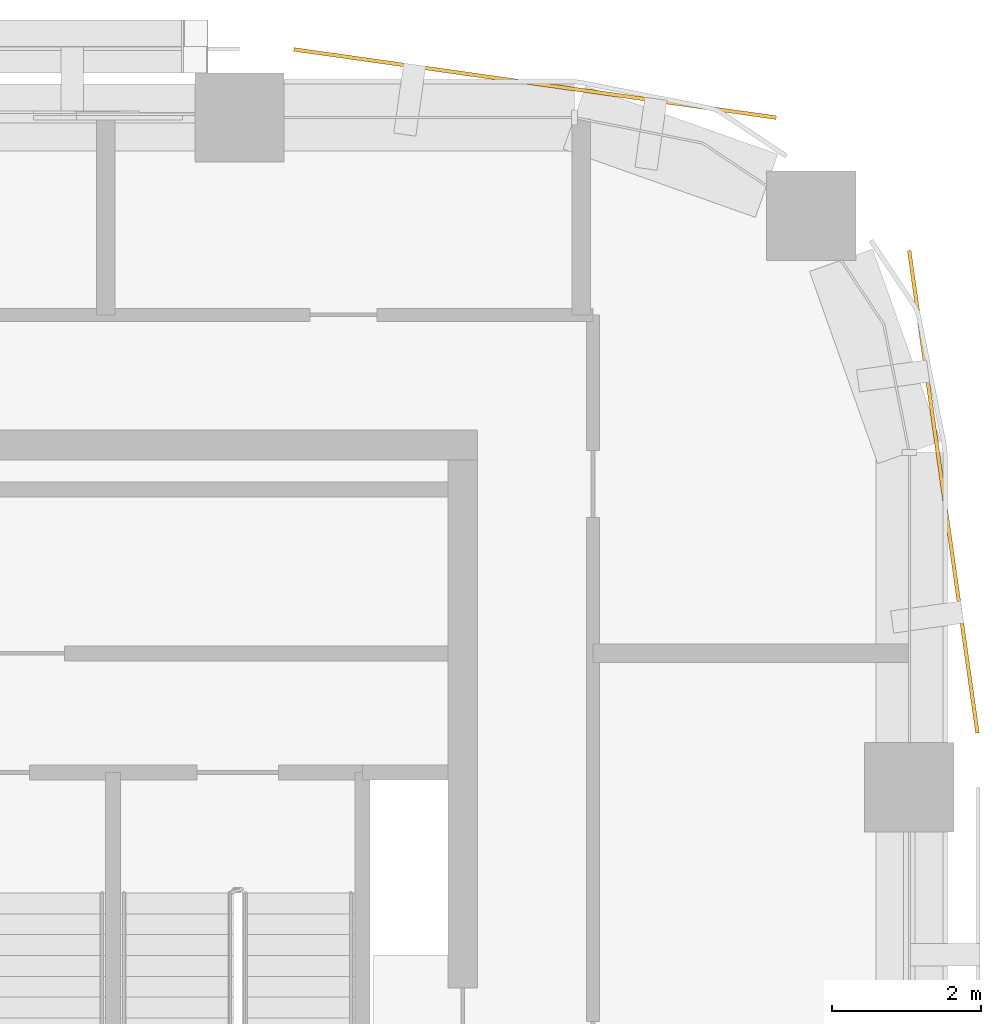
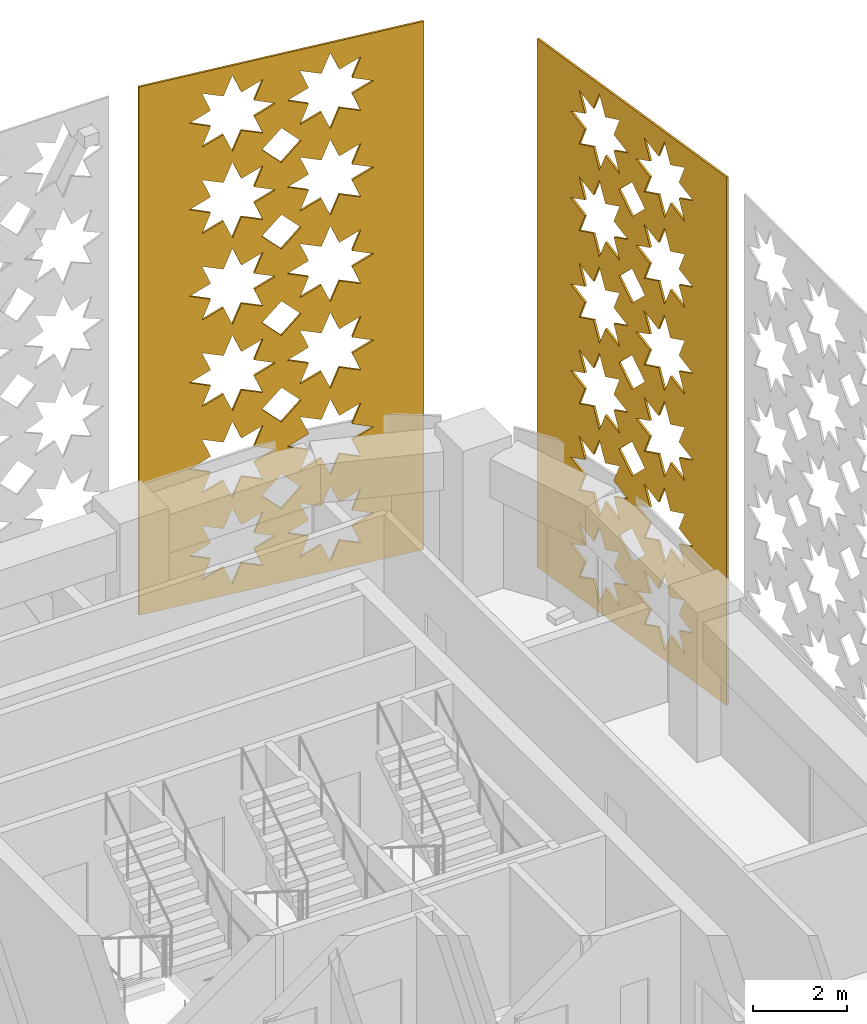
# One storey, part 17 of 17: 2 coverings.
"""IFC4 building model written with IfcOpenShell, lengths in metres."""

from ifc_helpers import new_model, si_unit, direction, frame, origin, place, context, subcontext, project, spatial, polyline, outline, extrude, material, layer, layer_set, type_object, element, save


model = new_model("IFC4")

# Units and contexts
model_context = context("Model", 3, precision=1e-05, world=origin(), true_north=direction((0.0, 1.0)))
body_context = subcontext(model_context, "Body", "Model", "MODEL_VIEW")
ifc_project = project(units=[si_unit("LENGTHUNIT", "METRE"), si_unit("AREAUNIT", "SQUARE_METRE"), si_unit("VOLUMEUNIT", "CUBIC_METRE"), si_unit("PLANEANGLEUNIT", "RADIAN"), si_unit("MASSUNIT", "GRAM", prefix="KILO")], contexts=[model_context])

# Site, building, storey
site_placement = place(None, origin())
site = spatial("IfcSite", under=ifc_project, at=site_placement, CompositionType="ELEMENT")
building_placement = place(site_placement, origin())
building = spatial("IfcBuilding", under=site, at=building_placement, Name="Tessera Arch", CompositionType="ELEMENT")
storey_placement = place(building_placement, frame((0.0, 0.0, 281.300048828125)))
storey = spatial("IfcBuildingStorey", under=building, at=storey_placement, Name="L68", CompositionType="ELEMENT", Elevation=281.300048828125)

# Coverings
ifc_material = material(Name="Anodised aluminium pale metal", Category="aluminium")
ifc_layer = layer(ifc_material, 0.050048828125)
ifc_layer_set = layer_set([ifc_layer], Name="Pierced screen panel corner bay")
covering_type = type_object("IfcCoveringType", Name="Pierced screen panel corner bay", PredefinedType="CLADDING", material=ifc_layer_set)
covering_1_placement = place(storey_placement, frame((54.89111328125, 45.72607421875, 13.89990234375), z_axis=(-0.990141011378, -0.140074186016, 0.0), x_axis=(-0.140074186016, 0.990141011378, 0.0)))
element("IfcCovering", 1, at=covering_1_placement, inside=storey, type_object=covering_type, Name="SCREEN pierced panel E54.27/1 L68-L70", PredefinedType="CLADDING", context=body_context, shape_type="SweptSolid", body=[
    extrude(outline(polyline([(0.0, 0.0), (6.546475218445481, 0.0), (6.546475218445481, 13.739990234375), (0.0, 13.739990234375), (0.0, 0.0)]), holes=[polyline([(3.1378926073747033, 12.494873046875), (2.646957140062835, 12.287841796875), (2.8479028079497066, 11.794921875), (2.354999273675671, 11.995849609375), (2.147907671256942, 11.5048828125), (1.941990539265672, 11.995849609375), (1.4481200704102128, 11.794921875), (1.6490657382970841, 12.287841796875), (1.158130270985216, 12.494873046875), (1.6490657382970841, 12.701904296875), (1.4481200704102128, 13.195068359375), (1.941990539265672, 12.993896484375), (2.147907671256942, 13.48486328125), (2.354999273675671, 12.993896484375), (2.8479028079497066, 13.195068359375), (2.646957140062835, 12.701904296875), (3.1378926073747033, 12.494873046875)]), polyline([(3.1378926073747033, 10.244873046875), (2.646957140062835, 10.037841796875), (2.8479028079497066, 9.544921875), (2.354999273675671, 9.745849609375), (2.147907671256942, 9.2548828125), (1.941990539265672, 9.745849609375), (1.4481200704102128, 9.544921875), (1.6490657382970841, 10.037841796875), (1.158130270985216, 10.244873046875), (1.6490657382970841, 10.451904296875), (1.4481200704102128, 10.945068359375), (1.941990539265672, 10.743896484375), (2.147907671256942, 11.23486328125), (2.354999273675671, 10.743896484375), (2.8479028079497066, 10.945068359375), (2.646957140062835, 10.451904296875), (3.1378926073747033, 10.244873046875)]), polyline([(3.1378926073747033, 7.994873046875), (2.646957140062835, 7.787841796875), (2.8479028079497066, 7.294921875), (2.354999273675671, 7.495849609375), (2.147907671256942, 7.0048828125), (1.941990539265672, 7.495849609375), (1.4481200704102128, 7.294921875), (1.6490657382970841, 7.787841796875), (1.158130270985216, 7.994873046875), (1.6490657382970841, 8.201904296875), (1.4481200704102128, 8.695068359375), (1.941990539265672, 8.493896484375), (2.147907671256942, 8.98486328125), (2.354999273675671, 8.493896484375), (2.8479028079497066, 8.695068359375), (2.646957140062835, 8.201904296875), (3.1378926073747033, 7.994873046875)]), polyline([(3.1378926073747033, 5.744873046875), (2.646957140062835, 5.537841796875), (2.8479028079497066, 5.044921875), (2.354999273675671, 5.245849609375), (2.147907671256942, 4.7548828125), (1.941990539265672, 5.245849609375), (1.4481200704102128, 5.044921875), (1.6490657382970841, 5.537841796875), (1.158130270985216, 5.744873046875), (1.6490657382970841, 5.951904296875), (1.4481200704102128, 6.445068359375), (1.941990539265672, 6.243896484375), (2.147907671256942, 6.73486328125), (2.354999273675671, 6.243896484375), (2.8479028079497066, 6.445068359375), (2.646957140062835, 5.951904296875), (3.1378926073747033, 5.744873046875)]), polyline([(3.1378926073747033, 3.494873046875), (2.646957140062835, 3.287841796875), (2.8479028079497066, 2.794921875), (2.354999273675671, 2.995849609375), (2.147907671256942, 2.5048828125), (1.941990539265672, 2.995849609375), (1.4481200704102128, 2.794921875), (1.6490657382970841, 3.287841796875), (1.158130270985216, 3.494873046875), (1.6490657382970841, 3.701904296875), (1.4481200704102128, 4.195068359375), (1.941990539265672, 3.993896484375), (2.147907671256942, 4.48486328125), (2.354999273675671, 3.993896484375), (2.8479028079497066, 4.195068359375), (2.646957140062835, 3.701904296875), (3.1378926073747033, 3.494873046875)]), polyline([(3.1378926073747033, 1.244873046875), (2.646957140062835, 1.037841796875), (2.8479028079497066, 0.544921875), (2.354999273675671, 0.745849609375), (2.147907671256942, 0.2548828125), (1.941990539265672, 0.745849609375), (1.4481200704102128, 0.544921875), (1.6490657382970841, 1.037841796875), (1.158130270985216, 1.244873046875), (1.6490657382970841, 1.451904296875), (1.4481200704102128, 1.945068359375), (1.941990539265672, 1.743896484375), (2.147907671256942, 2.23486328125), (2.354999273675671, 1.743896484375), (2.8479028079497066, 1.945068359375), (2.646957140062835, 1.451904296875), (3.1378926073747033, 1.244873046875)]), polyline([(5.387861480169554, 12.494873046875), (4.896926012857686, 12.287841796875), (5.097871680744557, 11.794921875), (4.604968146470521, 11.995849609375), (4.398118277697149, 11.5048828125), (4.191959412060523, 11.995849609375), (3.698088943205064, 11.794921875), (3.899034611091935, 12.287841796875), (3.408099143780067, 12.494873046875), (3.899034611091935, 12.701904296875), (3.698088943205064, 13.195068359375), (4.191959412060523, 12.993896484375), (4.398118277697149, 13.48486328125), (4.604968146470521, 12.993896484375), (5.097871680744557, 13.195068359375), (4.896926012857686, 12.701904296875), (5.387861480169554, 12.494873046875)]), polyline([(5.387861480169554, 10.244873046875), (4.896926012857686, 10.037841796875), (5.097871680744557, 9.544921875), (4.604968146470521, 9.745849609375), (4.398118277697149, 9.2548828125), (4.191959412060523, 9.745849609375), (3.698088943205064, 9.544921875), (3.899034611091935, 10.037841796875), (3.408099143780067, 10.244873046875), (3.899034611091935, 10.451904296875), (3.698088943205064, 10.945068359375), (4.191959412060523, 10.743896484375), (4.398118277697149, 11.23486328125), (4.604968146470521, 10.743896484375), (5.097871680744557, 10.945068359375), (4.896926012857686, 10.451904296875), (5.387861480169554, 10.244873046875)]), polyline([(5.387861480169554, 7.994873046875), (4.896926012857686, 7.787841796875), (5.097871680744557, 7.294921875), (4.604968146470521, 7.495849609375), (4.398118277697149, 7.0048828125), (4.191959412060523, 7.495849609375), (3.698088943205064, 7.294921875), (3.899034611091935, 7.787841796875), (3.408099143780067, 7.994873046875), (3.899034611091935, 8.201904296875), (3.698088943205064, 8.695068359375), (4.191959412060523, 8.493896484375), (4.398118277697149, 8.98486328125), (4.604968146470521, 8.493896484375), (5.097871680744557, 8.695068359375), (4.896926012857686, 8.201904296875), (5.387861480169554, 7.994873046875)]), polyline([(5.387861480169554, 5.744873046875), (4.896926012857686, 5.537841796875), (5.097871680744557, 5.044921875), (4.604968146470521, 5.245849609375), (4.398118277697149, 4.7548828125), (4.191959412060523, 5.245849609375), (3.698088943205064, 5.044921875), (3.899034611091935, 5.537841796875), (3.408099143780067, 5.744873046875), (3.899034611091935, 5.951904296875), (3.698088943205064, 6.445068359375), (4.191959412060523, 6.243896484375), (4.398118277697149, 6.73486328125), (4.604968146470521, 6.243896484375), (5.097871680744557, 6.445068359375), (4.896926012857686, 5.951904296875), (5.387861480169554, 5.744873046875)]), polyline([(5.387861480169554, 3.494873046875), (4.896926012857686, 3.287841796875), (5.097871680744557, 2.794921875), (4.604968146470521, 2.995849609375), (4.398118277697149, 2.5048828125), (4.191959412060523, 2.995849609375), (3.698088943205064, 2.794921875), (3.899034611091935, 3.287841796875), (3.408099143780067, 3.494873046875), (3.899034611091935, 3.701904296875), (3.698088943205064, 4.195068359375), (4.191959412060523, 3.993896484375), (4.398118277697149, 4.48486328125), (4.604968146470521, 3.993896484375), (5.097871680744557, 4.195068359375), (4.896926012857686, 3.701904296875), (5.387861480169554, 3.494873046875)]), polyline([(5.387861480169554, 1.244873046875), (4.896926012857686, 1.037841796875), (5.097871680744557, 0.544921875), (4.604968146470521, 0.745849609375), (4.398118277697149, 0.2548828125), (4.191959412060523, 0.745849609375), (3.698088943205064, 0.544921875), (3.899034611091935, 1.037841796875), (3.408099143780067, 1.244873046875), (3.899034611091935, 1.451904296875), (3.698088943205064, 1.945068359375), (4.191959412060523, 1.743896484375), (4.398118277697149, 2.23486328125), (4.604968146470521, 1.743896484375), (5.097871680744557, 1.945068359375), (4.896926012857686, 1.451904296875), (5.387861480169554, 1.244873046875)]), polyline([(3.7229828105764913, 11.369873046875), (3.272995875577385, 10.919921875), (2.823008940578279, 11.369873046875), (3.272995875577385, 11.820068359375), (3.7229828105764913, 11.369873046875)]), polyline([(3.7229828105764913, 9.119873046875), (3.272995875577385, 8.669921875), (2.823008940578279, 9.119873046875), (3.272995875577385, 9.570068359375), (3.7229828105764913, 9.119873046875)]), polyline([(3.7229828105764913, 6.869873046875), (3.272995875577385, 6.419921875), (2.823008940578279, 6.869873046875), (3.272995875577385, 7.320068359375), (3.7229828105764913, 6.869873046875)]), polyline([(3.7229828105764913, 4.619873046875), (3.272995875577385, 4.169921875), (2.823008940578279, 4.619873046875), (3.272995875577385, 5.070068359375), (3.7229828105764913, 4.619873046875)]), polyline([(3.7229828105764913, 2.369873046875), (3.272995875577385, 1.919921875), (2.823008940578279, 2.369873046875), (3.272995875577385, 2.820068359375), (3.7229828105764913, 2.369873046875)])]), origin(), (0.0, 0.0, -1.0), 0.050048828125),
])
covering_2_placement = place(storey_placement, frame((52.2080078125, 53.97412109375, 13.89990234375), z_axis=(-0.140074186016, -0.990141011378, 0.0), x_axis=(-0.990141011378, 0.140074186016, 0.0)))
element("IfcCovering", 2, at=covering_2_placement, inside=storey, type_object=covering_type, Name="SCREEN pierced panel N54.18/0 L68-L70", PredefinedType="CLADDING", context=body_context, shape_type="SweptSolid", body=[
    extrude(outline(polyline([(0.0, 0.0), (6.546475218445481, 0.0), (6.546475218445481, 13.739990234375), (0.0, 13.739990234375), (0.0, 0.0)]), holes=[polyline([(3.137858409575383, 12.494873046875), (2.6469229422635148, 12.287841796875), (2.8479028079497066, 11.794921875), (2.354999273675671, 11.995849609375), (2.1478734734576217, 11.5048828125), (1.941990539265672, 11.995849609375), (1.447878336764857, 11.794921875), (1.6490657382970841, 12.287841796875), (1.15788853733986, 12.494873046875), (1.6490657382970841, 12.701904296875), (1.447878336764857, 13.195068359375), (1.941990539265672, 12.993896484375), (2.1478734734576217, 13.48486328125), (2.354999273675671, 12.993896484375), (2.8479028079497066, 13.195068359375), (2.6469229422635148, 12.701904296875), (3.137858409575383, 12.494873046875)]), polyline([(3.137858409575383, 10.244873046875), (2.6469229422635148, 10.037841796875), (2.8479028079497066, 9.544921875), (2.354999273675671, 9.745849609375), (2.1478734734576217, 9.2548828125), (1.941990539265672, 9.745849609375), (1.447878336764857, 9.544921875), (1.6490657382970841, 10.037841796875), (1.15788853733986, 10.244873046875), (1.6490657382970841, 10.451904296875), (1.447878336764857, 10.945068359375), (1.941990539265672, 10.743896484375), (2.1478734734576217, 11.23486328125), (2.354999273675671, 10.743896484375), (2.8479028079497066, 10.945068359375), (2.6469229422635148, 10.451904296875), (3.137858409575383, 10.244873046875)]), polyline([(3.137858409575383, 7.994873046875), (2.6469229422635148, 7.787841796875), (2.8479028079497066, 7.294921875), (2.354999273675671, 7.495849609375), (2.1478734734576217, 7.0048828125), (1.941990539265672, 7.495849609375), (1.447878336764857, 7.294921875), (1.6490657382970841, 7.787841796875), (1.15788853733986, 7.994873046875), (1.6490657382970841, 8.201904296875), (1.447878336764857, 8.695068359375), (1.941990539265672, 8.493896484375), (2.1478734734576217, 8.98486328125), (2.354999273675671, 8.493896484375), (2.8479028079497066, 8.695068359375), (2.6469229422635148, 8.201904296875), (3.137858409575383, 7.994873046875)]), polyline([(3.137858409575383, 5.744873046875), (2.6469229422635148, 5.537841796875), (2.8479028079497066, 5.044921875), (2.354999273675671, 5.245849609375), (2.1478734734576217, 4.7548828125), (1.941990539265672, 5.245849609375), (1.447878336764857, 5.044921875), (1.6490657382970841, 5.537841796875), (1.15788853733986, 5.744873046875), (1.6490657382970841, 5.951904296875), (1.447878336764857, 6.445068359375), (1.941990539265672, 6.243896484375), (2.1478734734576217, 6.73486328125), (2.354999273675671, 6.243896484375), (2.8479028079497066, 6.445068359375), (2.6469229422635148, 5.951904296875), (3.137858409575383, 5.744873046875)]), polyline([(3.137858409575383, 3.494873046875), (2.6469229422635148, 3.287841796875), (2.8479028079497066, 2.794921875), (2.354999273675671, 2.995849609375), (2.1478734734576217, 2.5048828125), (1.941990539265672, 2.995849609375), (1.447878336764857, 2.794921875), (1.6490657382970841, 3.287841796875), (1.15788853733986, 3.494873046875), (1.6490657382970841, 3.701904296875), (1.447878336764857, 4.195068359375), (1.941990539265672, 3.993896484375), (2.1478734734576217, 4.48486328125), (2.354999273675671, 3.993896484375), (2.8479028079497066, 4.195068359375), (2.6469229422635148, 3.701904296875), (3.137858409575383, 3.494873046875)]), polyline([(3.137858409575383, 1.244873046875), (2.6469229422635148, 1.037841796875), (2.8479028079497066, 0.544921875), (2.354999273675671, 0.745849609375), (2.1478734734576217, 0.2548828125), (1.941990539265672, 0.745849609375), (1.447878336764857, 0.544921875), (1.6490657382970841, 1.037841796875), (1.15788853733986, 1.244873046875), (1.6490657382970841, 1.451904296875), (1.447878336764857, 1.945068359375), (1.941990539265672, 1.743896484375), (2.1478734734576217, 2.23486328125), (2.354999273675671, 1.743896484375), (2.8479028079497066, 1.945068359375), (2.6469229422635148, 1.451904296875), (3.137858409575383, 1.244873046875)]), polyline([(5.387827282370234, 12.494873046875), (4.896891815058366, 12.287841796875), (5.097871680744557, 11.794921875), (4.604968146470521, 11.995849609375), (4.397842346252473, 11.5048828125), (4.191959412060523, 11.995849609375), (3.698088943205064, 11.794921875), (3.899034611091935, 12.287841796875), (3.407857410134711, 12.494873046875), (3.899034611091935, 12.701904296875), (3.698088943205064, 13.195068359375), (4.191959412060523, 12.993896484375), (4.397842346252473, 13.48486328125), (4.604968146470521, 12.993896484375), (5.097871680744557, 13.195068359375), (4.896891815058366, 12.701904296875), (5.387827282370234, 12.494873046875)]), polyline([(5.387827282370234, 10.244873046875), (4.896891815058366, 10.037841796875), (5.097871680744557, 9.544921875), (4.604968146470521, 9.745849609375), (4.397842346252473, 9.2548828125), (4.191959412060523, 9.745849609375), (3.698088943205064, 9.544921875), (3.899034611091935, 10.037841796875), (3.407857410134711, 10.244873046875), (3.899034611091935, 10.451904296875), (3.698088943205064, 10.945068359375), (4.191959412060523, 10.743896484375), (4.397842346252473, 11.23486328125), (4.604968146470521, 10.743896484375), (5.097871680744557, 10.945068359375), (4.896891815058366, 10.451904296875), (5.387827282370234, 10.244873046875)]), polyline([(5.387827282370234, 7.994873046875), (4.896891815058366, 7.787841796875), (5.097871680744557, 7.294921875), (4.604968146470521, 7.495849609375), (4.397842346252473, 7.0048828125), (4.191959412060523, 7.495849609375), (3.698088943205064, 7.294921875), (3.899034611091935, 7.787841796875), (3.407857410134711, 7.994873046875), (3.899034611091935, 8.201904296875), (3.698088943205064, 8.695068359375), (4.191959412060523, 8.493896484375), (4.397842346252473, 8.98486328125), (4.604968146470521, 8.493896484375), (5.097871680744557, 8.695068359375), (4.896891815058366, 8.201904296875), (5.387827282370234, 7.994873046875)]), polyline([(5.387827282370234, 5.744873046875), (4.896891815058366, 5.537841796875), (5.097871680744557, 5.044921875), (4.604968146470521, 5.245849609375), (4.397842346252473, 4.7548828125), (4.191959412060523, 5.245849609375), (3.698088943205064, 5.044921875), (3.899034611091935, 5.537841796875), (3.407857410134711, 5.744873046875), (3.899034611091935, 5.951904296875), (3.698088943205064, 6.445068359375), (4.191959412060523, 6.243896484375), (4.397842346252473, 6.73486328125), (4.604968146470521, 6.243896484375), (5.097871680744557, 6.445068359375), (4.896891815058366, 5.951904296875), (5.387827282370234, 5.744873046875)]), polyline([(5.387827282370234, 3.494873046875), (4.896891815058366, 3.287841796875), (5.097871680744557, 2.794921875), (4.604968146470521, 2.995849609375), (4.397842346252473, 2.5048828125), (4.191959412060523, 2.995849609375), (3.698088943205064, 2.794921875), (3.899034611091935, 3.287841796875), (3.407857410134711, 3.494873046875), (3.899034611091935, 3.701904296875), (3.698088943205064, 4.195068359375), (4.191959412060523, 3.993896484375), (4.397842346252473, 4.48486328125), (4.604968146470521, 3.993896484375), (5.097871680744557, 4.195068359375), (4.896891815058366, 3.701904296875), (5.387827282370234, 3.494873046875)]), polyline([(5.387827282370234, 1.244873046875), (4.896891815058366, 1.037841796875), (5.097871680744557, 0.544921875), (4.604968146470521, 0.745849609375), (4.397842346252473, 0.2548828125), (4.191959412060523, 0.745849609375), (3.698088943205064, 0.544921875), (3.899034611091935, 1.037841796875), (3.407857410134711, 1.244873046875), (3.899034611091935, 1.451904296875), (3.698088943205064, 1.945068359375), (4.191959412060523, 1.743896484375), (4.397842346252473, 2.23486328125), (4.604968146470521, 1.743896484375), (5.097871680744557, 1.945068359375), (4.896891815058366, 1.451904296875), (5.387827282370234, 1.244873046875)]), polyline([(3.7229828105764913, 11.369873046875), (3.272995875577385, 10.919921875), (2.8229747427789587, 11.369873046875), (3.272995875577385, 11.820068359375), (3.7229828105764913, 11.369873046875)]), polyline([(3.7229828105764913, 9.119873046875), (3.272995875577385, 8.669921875), (2.8229747427789587, 9.119873046875), (3.272995875577385, 9.570068359375), (3.7229828105764913, 9.119873046875)]), polyline([(3.7229828105764913, 6.869873046875), (3.272995875577385, 6.419921875), (2.8229747427789587, 6.869873046875), (3.272995875577385, 7.320068359375), (3.7229828105764913, 6.869873046875)]), polyline([(3.7229828105764913, 4.619873046875), (3.272995875577385, 4.169921875), (2.8229747427789587, 4.619873046875), (3.272995875577385, 5.070068359375), (3.7229828105764913, 4.619873046875)]), polyline([(3.7229828105764913, 2.369873046875), (3.272995875577385, 1.919921875), (2.8229747427789587, 2.369873046875), (3.272995875577385, 2.820068359375), (3.7229828105764913, 2.369873046875)])]), origin(), (0.0, 0.0, -1.0), 0.050048828125),
])

save(model, "model.ifc")
